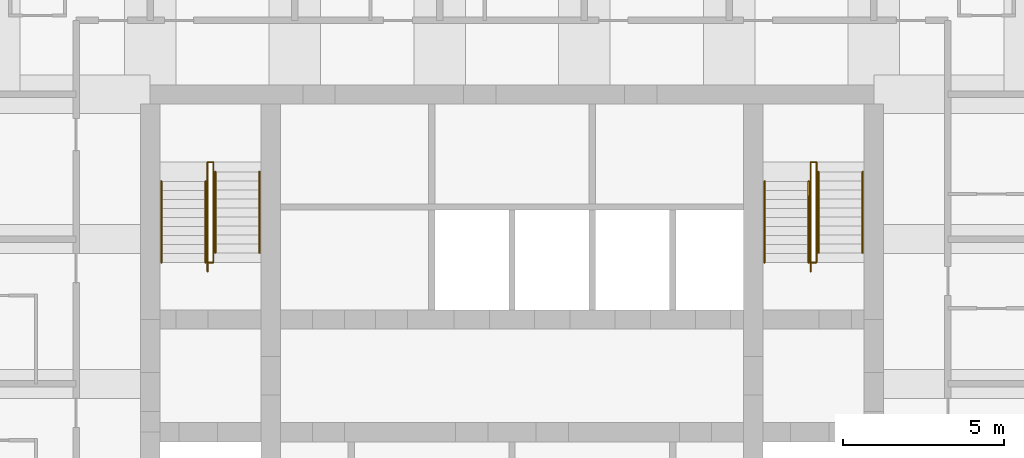
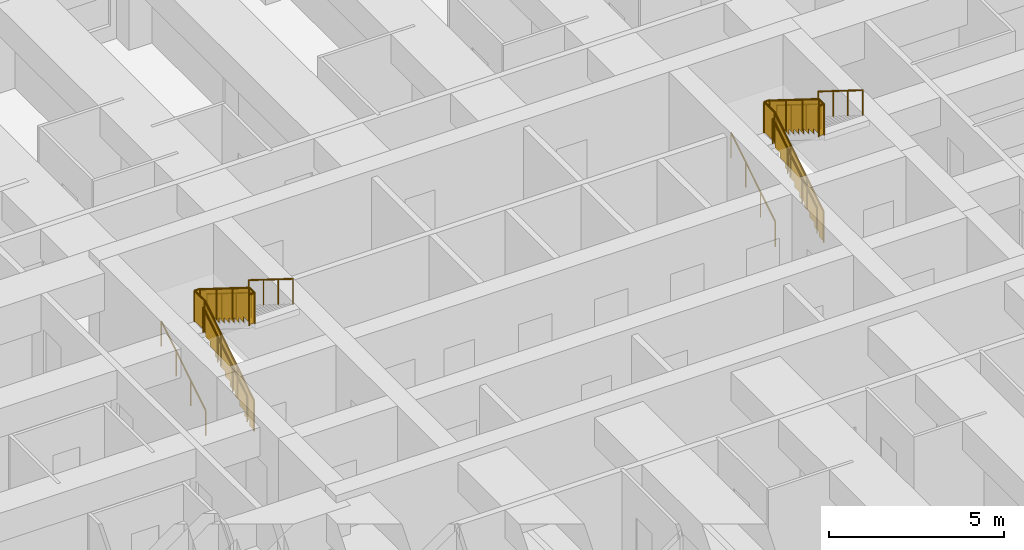
# One storey, part 8 of 8: 12 railings.
"""IFC4 building model written with IfcOpenShell, lengths in metres."""

from ifc_helpers import new_model, si_unit, direction, frame, origin, origin_2d, place, context, subcontext, project, spatial, polyline, circle, outline, extrude, material, type_object, element, save


model = new_model("IFC4")

# Units and contexts
model_context = context("Model", 3, precision=1e-05, world=origin(), true_north=direction((0.0, 1.0)))
body_context = subcontext(model_context, "Body", "Model", "MODEL_VIEW")
ifc_project = project(units=[si_unit("LENGTHUNIT", "METRE"), si_unit("AREAUNIT", "SQUARE_METRE"), si_unit("VOLUMEUNIT", "CUBIC_METRE"), si_unit("PLANEANGLEUNIT", "RADIAN"), si_unit("MASSUNIT", "GRAM", prefix="KILO")], contexts=[model_context])

# Site, building, storey
site_placement = place(None, origin())
site = spatial("IfcSite", under=ifc_project, at=site_placement, CompositionType="ELEMENT")
building_placement = place(site_placement, origin())
building = spatial("IfcBuilding", under=site, at=building_placement, Name="Kilele Tower Hotel", CompositionType="ELEMENT")
storey_placement = place(building_placement, frame((0.0, 0.0, 162.39990234375)))
storey = spatial("IfcBuildingStorey", under=building, at=storey_placement, Name="L41", CompositionType="ELEMENT", Elevation=162.39990234375)

# Railings
ifc_material_1 = material(Name="Steel handrail", Category="steel")
railing_type_1 = type_object("IfcRailingType", Name="Handrail 900", PredefinedType="HANDRAIL", material=ifc_material_1)
for number, where, name in (
    (1, (13.85009765625, 21.77490234375, 0.175048828125), "Handrail ST1 flight 1"),
    (2, (15.22509765625, 21.77490234375, 0.175048828125), "Handrail ST1 flight 1"),
):
    element("IfcRailing", number, at=place(storey_placement, frame(where)), inside=storey, type_object=railing_type_1, Name=name, PredefinedType="HANDRAIL", context=body_context, shape_type="SweptSolid", body=[
        extrude(circle(Radius=0.02490234375, at=origin_2d()), frame((0.0, 0.0, 0.875), z_axis=(0.0, 0.848007534815, 0.529984170421), x_axis=(-1.0, 0.0, 0.0)), (0.0, 0.0, 1.0), 2.9716796875),
        extrude(circle(Radius=0.02001953125, at=origin_2d()), origin(), (0.0, 0.0, 1.0), 0.849853515625),
        extrude(circle(Radius=0.02001953125, at=origin_2d()), frame((0.0, 0.840087890625, 0.52490234375)), (0.0, 0.0, 1.0), 0.849853515625),
        extrude(circle(Radius=0.02001953125, at=origin_2d()), frame((0.0, 1.679931640625, 1.050048828125)), (0.0, 0.0, 1.0), 0.849853515625),
        extrude(circle(Radius=0.02001953125, at=origin_2d()), frame((0.0, 2.52001953125, 1.574951171875)), (0.0, 0.0, 1.0), 0.849853515625),
    ])
for number, where, name in (
    (3, (15.52490234375, 24.594970703125, 1.925048828125), "Handrail ST1 flight 2"),
    (4, (16.89990234375, 24.594970703125, 1.925048828125), "Handrail ST1 flight 2"),
):
    element("IfcRailing", number, at=place(storey_placement, frame(where)), inside=storey, type_object=railing_type_1, Name=name, PredefinedType="HANDRAIL", context=body_context, shape_type="SweptSolid", body=[
        extrude(circle(Radius=0.02490234375, at=origin_2d()), frame((0.0, 0.0, 0.875), z_axis=(0.0, -0.848007534815, 0.529984170421), x_axis=(1.0, 0.0, 0.0)), (0.0, 0.0, 1.0), 2.9716796875),
        extrude(circle(Radius=0.02001953125, at=origin_2d()), origin(), (0.0, 0.0, 1.0), 0.849853515625),
        extrude(circle(Radius=0.02001953125, at=origin_2d()), frame((0.0, -0.840087890625, 0.52490234375)), (0.0, 0.0, 1.0), 0.849853515625),
        extrude(circle(Radius=0.02001953125, at=origin_2d()), frame((0.0, -1.679931640625, 1.050048828125)), (0.0, 0.0, 1.0), 0.849853515625),
        extrude(circle(Radius=0.02001953125, at=origin_2d()), frame((0.0, -2.52001953125, 1.574951171875)), (0.0, 0.0, 1.0), 0.849853515625),
    ])
for number, where, name in (
    (5, (32.60009765625, 21.77490234375, 0.175048828125), "Handrail ST2 flight 1"),
    (6, (33.97509765625, 21.77490234375, 0.175048828125), "Handrail ST2 flight 1"),
):
    element("IfcRailing", number, at=place(storey_placement, frame(where)), inside=storey, type_object=railing_type_1, Name=name, PredefinedType="HANDRAIL", context=body_context, shape_type="SweptSolid", body=[
        extrude(circle(Radius=0.02490234375, at=origin_2d()), frame((0.0, 0.0, 0.875), z_axis=(0.0, 0.848007534815, 0.529984170421), x_axis=(-1.0, 0.0, 0.0)), (0.0, 0.0, 1.0), 2.9716796875),
        extrude(circle(Radius=0.02001953125, at=origin_2d()), origin(), (0.0, 0.0, 1.0), 0.849853515625),
        extrude(circle(Radius=0.02001953125, at=origin_2d()), frame((0.0, 0.840087890625, 0.52490234375)), (0.0, 0.0, 1.0), 0.849853515625),
        extrude(circle(Radius=0.02001953125, at=origin_2d()), frame((0.0, 1.679931640625, 1.050048828125)), (0.0, 0.0, 1.0), 0.849853515625),
        extrude(circle(Radius=0.02001953125, at=origin_2d()), frame((0.0, 2.52001953125, 1.574951171875)), (0.0, 0.0, 1.0), 0.849853515625),
    ])
for number, where, name in (
    (7, (34.27490234375, 24.594970703125, 1.925048828125), "Handrail ST2 flight 2"),
    (8, (35.64990234375, 24.594970703125, 1.925048828125), "Handrail ST2 flight 2"),
):
    element("IfcRailing", number, at=place(storey_placement, frame(where)), inside=storey, type_object=railing_type_1, Name=name, PredefinedType="HANDRAIL", context=body_context, shape_type="SweptSolid", body=[
        extrude(circle(Radius=0.02490234375, at=origin_2d()), frame((0.0, 0.0, 0.875), z_axis=(0.0, -0.848007534815, 0.529984170421), x_axis=(1.0, 0.0, 0.0)), (0.0, 0.0, 1.0), 2.9716796875),
        extrude(circle(Radius=0.02001953125, at=origin_2d()), origin(), (0.0, 0.0, 1.0), 0.849853515625),
        extrude(circle(Radius=0.02001953125, at=origin_2d()), frame((0.0, -0.840087890625, 0.52490234375)), (0.0, 0.0, 1.0), 0.849853515625),
        extrude(circle(Radius=0.02001953125, at=origin_2d()), frame((0.0, -1.679931640625, 1.050048828125)), (0.0, 0.0, 1.0), 0.849853515625),
        extrude(circle(Radius=0.02001953125, at=origin_2d()), frame((0.0, -2.52001953125, 1.574951171875)), (0.0, 0.0, 1.0), 0.849853515625),
    ])
ifc_material_2 = material(Name="Steel guard", Category="steel")
railing_type_2 = type_object("IfcRailingType", Name="Stair guard 1100", PredefinedType="GUARDRAIL", material=ifc_material_2)
railing_1_placement = place(storey_placement, frame((15.284912109375, 21.4951171875, 0.0)))
element("IfcRailing", 9, at=railing_1_placement, inside=storey, type_object=railing_type_2, Name="Stair well guard ST1 flight 1", PredefinedType="GUARDRAIL", context=body_context, shape_type="SweptSolid", body=[
    extrude(circle(Radius=0.02490234375, at=origin_2d()), frame((0.0, 0.0, 1.0751953125), z_axis=(0.0, 0.847981687118, 0.530025526095), x_axis=(-1.0, 0.0, 0.0)), (0.0, 0.0, 1.0), 3.3017578125),
    extrude(circle(Radius=0.02490234375, at=origin_2d()), frame((0.0, 2.7998046875, 2.8251953125), z_axis=(0.0, 1.0, 0.0), x_axis=(-1.0, 0.0, 0.0)), (0.0, 0.0, 1.0), 0.60009765625),
    extrude(circle(Radius=0.02490234375, at=origin_2d()), frame((0.0, 3.39990234375, 2.8251953125), z_axis=(1.0, 0.0, 0.0), x_axis=(0.0, 1.0, 0.0)), (0.0, 0.0, 1.0), 0.18017578125),
    extrude(circle(Radius=0.02490234375, at=origin_2d()), origin(), (0.0, 0.0, 1.0), 1.050048828125),
    extrude(circle(Radius=0.02490234375, at=origin_2d()), frame((0.0, 0.933349609375, 0.583251953125)), (0.0, 0.0, 1.0), 1.050048828125),
    extrude(circle(Radius=0.02490234375, at=origin_2d()), frame((0.0, 1.866455078125, 1.166748046875)), (0.0, 0.0, 1.0), 1.050048828125),
    extrude(circle(Radius=0.02490234375, at=origin_2d()), frame((0.0, 2.7998046875, 1.75)), (0.0, 0.0, 1.0), 1.050048828125),
    extrude(circle(Radius=0.02490234375, at=origin_2d()), frame((0.0, 3.39990234375, 1.75)), (0.0, 0.0, 1.0), 1.050048828125),
    extrude(circle(Radius=0.02490234375, at=origin_2d()), frame((0.18017578125, 3.39990234375, 1.75)), (0.0, 0.0, 1.0), 1.050048828125),
    extrude(outline(polyline([(0.012451171875, 0.030029296875), (0.25, 0.030029296875), (0.25, 0.205078125), (0.530029296875, 0.205078125), (0.530029296875, 0.380126953125), (0.809814453125, 0.380126953125), (0.809814453125, 0.554931640625), (1.08984375, 0.554931640625), (1.08984375, 0.72998046875), (1.369873046875, 0.72998046875), (1.369873046875, 0.905029296875), (1.64990234375, 0.905029296875), (1.64990234375, 1.080078125), (1.929931640625, 1.080078125), (1.929931640625, 1.255126953125), (2.209716796875, 1.255126953125), (2.209716796875, 1.429931640625), (2.48974609375, 1.429931640625), (2.48974609375, 1.60498046875), (2.769775390625, 1.60498046875), (2.769775390625, 1.780029296875), (2.787353515625, 1.780029296875), (2.787353515625, 2.787841796875), (0.012451171875, 1.053466796875), (0.012451171875, 0.030029296875)])), frame((-0.005859375, 0.0, 0.0), z_axis=(1.0, 0.0, 0.0), x_axis=(0.0, 1.0, 0.0)), (0.0, 0.0, 1.0), 0.011962890625),
    extrude(outline(polyline([(0.012451171875, 0.030029296875), (0.587646484375, 0.030029296875), (0.587646484375, 1.050048828125), (0.012451171875, 1.050048828125), (0.012451171875, 0.030029296875)])), frame((-0.005859375, 2.7998046875, 1.75), z_axis=(1.0, 0.0, 0.0), x_axis=(0.0, 1.0, 0.0)), (0.0, 0.0, 1.0), 0.011962890625),
    extrude(outline(polyline([(0.012451171875, 0.030029296875), (0.18017578125, 0.030029296875), (0.18017578125, 1.050048828125), (0.012451171875, 1.050048828125), (0.012451171875, 0.030029296875)])), frame((0.0, 3.40576171875, 1.75), z_axis=(0.0, -1.0, 0.0), x_axis=(1.0, 0.0, 0.0)), (0.0, 0.0, 1.0), 0.011962890625),
])
railing_2_placement = place(storey_placement, frame((15.465087890625, 24.89501953125, 1.75)))
element("IfcRailing", 10, at=railing_2_placement, inside=storey, type_object=railing_type_2, Name="Stair well guard ST1 flight 2", PredefinedType="GUARDRAIL", context=body_context, shape_type="SweptSolid", body=[
    extrude(circle(Radius=0.02490234375, at=origin_2d()), frame((0.0, 0.0, 1.0751953125), z_axis=(0.0, -1.0, 0.0), x_axis=(1.0, 0.0, 0.0)), (0.0, 0.0, 1.0), 0.02001953125),
    extrude(circle(Radius=0.02490234375, at=origin_2d()), frame((0.0, -0.02001953125, 1.0751953125), z_axis=(0.0, -0.848002457836, 0.529992293815), x_axis=(1.0, 0.0, 0.0)), (0.0, 0.0, 1.0), 3.302001953125),
    extrude(circle(Radius=0.02490234375, at=origin_2d()), frame((0.0, -2.820068359375, 2.8251953125), z_axis=(0.0, -1.0, 0.0), x_axis=(1.0, 0.0, 0.0)), (0.0, 0.0, 1.0), 0.300048828125),
    extrude(circle(Radius=0.02490234375, at=origin_2d()), frame((0.0, -3.1201171875, 2.8251953125), z_axis=(-1.0, 0.0, 0.0), x_axis=(0.0, -1.0, 0.0)), (0.0, 0.0, 1.0), 0.18017578125),
    extrude(circle(Radius=0.02490234375, at=origin_2d()), origin(), (0.0, 0.0, 1.0), 1.050048828125),
    extrude(circle(Radius=0.02490234375, at=origin_2d()), frame((0.0, -0.02001953125, 0.0)), (0.0, 0.0, 1.0), 1.050048828125),
    extrude(circle(Radius=0.02490234375, at=origin_2d()), frame((0.0, -0.953369140625, 0.583251953125)), (0.0, 0.0, 1.0), 1.050048828125),
    extrude(circle(Radius=0.02490234375, at=origin_2d()), frame((0.0, -1.88671875, 1.166748046875)), (0.0, 0.0, 1.0), 1.050048828125),
    extrude(circle(Radius=0.02490234375, at=origin_2d()), frame((0.0, -2.820068359375, 1.75)), (0.0, 0.0, 1.0), 1.050048828125),
    extrude(circle(Radius=0.02490234375, at=origin_2d()), frame((0.0, -3.1201171875, 1.75)), (0.0, 0.0, 1.0), 1.050048828125),
    extrude(circle(Radius=0.02490234375, at=origin_2d()), frame((-0.18017578125, -3.1201171875, 1.75)), (0.0, 0.0, 1.0), 1.050048828125),
    extrude(outline(polyline([(0.012451171875, 0.030029296875), (0.25, 0.030029296875), (0.25, 0.205078125), (0.530029296875, 0.205078125), (0.530029296875, 0.380126953125), (0.81005859375, 0.380126953125), (0.81005859375, 0.554931640625), (1.090087890625, 0.554931640625), (1.090087890625, 0.72998046875), (1.3701171875, 0.72998046875), (1.3701171875, 0.905029296875), (1.64990234375, 0.905029296875), (1.64990234375, 1.080078125), (1.929931640625, 1.080078125), (1.929931640625, 1.255126953125), (2.2099609375, 1.255126953125), (2.2099609375, 1.429931640625), (2.489990234375, 1.429931640625), (2.489990234375, 1.60498046875), (2.77001953125, 1.60498046875), (2.77001953125, 1.780029296875), (2.78759765625, 1.780029296875), (2.78759765625, 2.787841796875), (0.012451171875, 1.053466796875), (0.012451171875, 0.030029296875)])), frame((0.005859375, -0.02001953125, 0.0), z_axis=(-1.0, 0.0, 0.0), x_axis=(0.0, -1.0, 0.0)), (0.0, 0.0, 1.0), 0.011962890625),
    extrude(outline(polyline([(0.012451171875, 0.030029296875), (0.28759765625, 0.030029296875), (0.28759765625, 1.050048828125), (0.012451171875, 1.050048828125), (0.012451171875, 0.030029296875)])), frame((0.005859375, -2.820068359375, 1.75), z_axis=(-1.0, 0.0, 0.0), x_axis=(0.0, -1.0, 0.0)), (0.0, 0.0, 1.0), 0.011962890625),
    extrude(outline(polyline([(0.012451171875, 0.030029296875), (0.18017578125, 0.030029296875), (0.18017578125, 1.050048828125), (0.012451171875, 1.050048828125), (0.012451171875, 0.030029296875)])), frame((0.0, -3.1259765625, 1.75), z_axis=(0.0, 1.0, 0.0), x_axis=(-1.0, 0.0, 0.0)), (0.0, 0.0, 1.0), 0.011962890625),
])
railing_3_placement = place(storey_placement, frame((34.034912109375, 21.4951171875, 0.0)))
element("IfcRailing", 11, at=railing_3_placement, inside=storey, type_object=railing_type_2, Name="Stair well guard ST2 flight 1", PredefinedType="GUARDRAIL", context=body_context, shape_type="SweptSolid", body=[
    extrude(circle(Radius=0.02490234375, at=origin_2d()), frame((0.0, 0.0, 1.0751953125), z_axis=(0.0, 0.847981687118, 0.530025526095), x_axis=(-1.0, 0.0, 0.0)), (0.0, 0.0, 1.0), 3.3017578125),
    extrude(circle(Radius=0.02490234375, at=origin_2d()), frame((0.0, 2.7998046875, 2.8251953125), z_axis=(0.0, 1.0, 0.0), x_axis=(-1.0, 0.0, 0.0)), (0.0, 0.0, 1.0), 0.60009765625),
    extrude(circle(Radius=0.02490234375, at=origin_2d()), frame((0.0, 3.39990234375, 2.8251953125), z_axis=(1.0, 0.0, 0.0), x_axis=(0.0, 1.0, 0.0)), (0.0, 0.0, 1.0), 0.18017578125),
    extrude(circle(Radius=0.02490234375, at=origin_2d()), origin(), (0.0, 0.0, 1.0), 1.050048828125),
    extrude(circle(Radius=0.02490234375, at=origin_2d()), frame((0.0, 0.933349609375, 0.583251953125)), (0.0, 0.0, 1.0), 1.050048828125),
    extrude(circle(Radius=0.02490234375, at=origin_2d()), frame((0.0, 1.866455078125, 1.166748046875)), (0.0, 0.0, 1.0), 1.050048828125),
    extrude(circle(Radius=0.02490234375, at=origin_2d()), frame((0.0, 2.7998046875, 1.75)), (0.0, 0.0, 1.0), 1.050048828125),
    extrude(circle(Radius=0.02490234375, at=origin_2d()), frame((0.0, 3.39990234375, 1.75)), (0.0, 0.0, 1.0), 1.050048828125),
    extrude(circle(Radius=0.02490234375, at=origin_2d()), frame((0.18017578125, 3.39990234375, 1.75)), (0.0, 0.0, 1.0), 1.050048828125),
    extrude(outline(polyline([(0.012451171875, 0.030029296875), (0.25, 0.030029296875), (0.25, 0.205078125), (0.530029296875, 0.205078125), (0.530029296875, 0.380126953125), (0.809814453125, 0.380126953125), (0.809814453125, 0.554931640625), (1.08984375, 0.554931640625), (1.08984375, 0.72998046875), (1.369873046875, 0.72998046875), (1.369873046875, 0.905029296875), (1.64990234375, 0.905029296875), (1.64990234375, 1.080078125), (1.929931640625, 1.080078125), (1.929931640625, 1.255126953125), (2.209716796875, 1.255126953125), (2.209716796875, 1.429931640625), (2.48974609375, 1.429931640625), (2.48974609375, 1.60498046875), (2.769775390625, 1.60498046875), (2.769775390625, 1.780029296875), (2.787353515625, 1.780029296875), (2.787353515625, 2.787841796875), (0.012451171875, 1.053466796875), (0.012451171875, 0.030029296875)])), frame((-0.005859375, 0.0, 0.0), z_axis=(1.0, 0.0, 0.0), x_axis=(0.0, 1.0, 0.0)), (0.0, 0.0, 1.0), 0.011962890625),
    extrude(outline(polyline([(0.012451171875, 0.030029296875), (0.587646484375, 0.030029296875), (0.587646484375, 1.050048828125), (0.012451171875, 1.050048828125), (0.012451171875, 0.030029296875)])), frame((-0.005859375, 2.7998046875, 1.75), z_axis=(1.0, 0.0, 0.0), x_axis=(0.0, 1.0, 0.0)), (0.0, 0.0, 1.0), 0.011962890625),
    extrude(outline(polyline([(0.012451171875, 0.030029296875), (0.18017578125, 0.030029296875), (0.18017578125, 1.050048828125), (0.012451171875, 1.050048828125), (0.012451171875, 0.030029296875)])), frame((0.0, 3.40576171875, 1.75), z_axis=(0.0, -1.0, 0.0), x_axis=(1.0, 0.0, 0.0)), (0.0, 0.0, 1.0), 0.011962890625),
])
railing_4_placement = place(storey_placement, frame((34.215087890625, 24.89501953125, 1.75)))
element("IfcRailing", 12, at=railing_4_placement, inside=storey, type_object=railing_type_2, Name="Stair well guard ST2 flight 2", PredefinedType="GUARDRAIL", context=body_context, shape_type="SweptSolid", body=[
    extrude(circle(Radius=0.02490234375, at=origin_2d()), frame((0.0, 0.0, 1.0751953125), z_axis=(0.0, -1.0, 0.0), x_axis=(1.0, 0.0, 0.0)), (0.0, 0.0, 1.0), 0.02001953125),
    extrude(circle(Radius=0.02490234375, at=origin_2d()), frame((0.0, -0.02001953125, 1.0751953125), z_axis=(0.0, -0.848002457836, 0.529992293815), x_axis=(1.0, 0.0, 0.0)), (0.0, 0.0, 1.0), 3.302001953125),
    extrude(circle(Radius=0.02490234375, at=origin_2d()), frame((0.0, -2.820068359375, 2.8251953125), z_axis=(0.0, -1.0, 0.0), x_axis=(1.0, 0.0, 0.0)), (0.0, 0.0, 1.0), 0.300048828125),
    extrude(circle(Radius=0.02490234375, at=origin_2d()), frame((0.0, -3.1201171875, 2.8251953125), z_axis=(-1.0, 0.0, 0.0), x_axis=(0.0, -1.0, 0.0)), (0.0, 0.0, 1.0), 0.18017578125),
    extrude(circle(Radius=0.02490234375, at=origin_2d()), origin(), (0.0, 0.0, 1.0), 1.050048828125),
    extrude(circle(Radius=0.02490234375, at=origin_2d()), frame((0.0, -0.02001953125, 0.0)), (0.0, 0.0, 1.0), 1.050048828125),
    extrude(circle(Radius=0.02490234375, at=origin_2d()), frame((0.0, -0.953369140625, 0.583251953125)), (0.0, 0.0, 1.0), 1.050048828125),
    extrude(circle(Radius=0.02490234375, at=origin_2d()), frame((0.0, -1.88671875, 1.166748046875)), (0.0, 0.0, 1.0), 1.050048828125),
    extrude(circle(Radius=0.02490234375, at=origin_2d()), frame((0.0, -2.820068359375, 1.75)), (0.0, 0.0, 1.0), 1.050048828125),
    extrude(circle(Radius=0.02490234375, at=origin_2d()), frame((0.0, -3.1201171875, 1.75)), (0.0, 0.0, 1.0), 1.050048828125),
    extrude(circle(Radius=0.02490234375, at=origin_2d()), frame((-0.18017578125, -3.1201171875, 1.75)), (0.0, 0.0, 1.0), 1.050048828125),
    extrude(outline(polyline([(0.012451171875, 0.030029296875), (0.25, 0.030029296875), (0.25, 0.205078125), (0.530029296875, 0.205078125), (0.530029296875, 0.380126953125), (0.81005859375, 0.380126953125), (0.81005859375, 0.554931640625), (1.090087890625, 0.554931640625), (1.090087890625, 0.72998046875), (1.3701171875, 0.72998046875), (1.3701171875, 0.905029296875), (1.64990234375, 0.905029296875), (1.64990234375, 1.080078125), (1.929931640625, 1.080078125), (1.929931640625, 1.255126953125), (2.2099609375, 1.255126953125), (2.2099609375, 1.429931640625), (2.489990234375, 1.429931640625), (2.489990234375, 1.60498046875), (2.77001953125, 1.60498046875), (2.77001953125, 1.780029296875), (2.78759765625, 1.780029296875), (2.78759765625, 2.787841796875), (0.012451171875, 1.053466796875), (0.012451171875, 0.030029296875)])), frame((0.005859375, -0.02001953125, 0.0), z_axis=(-1.0, 0.0, 0.0), x_axis=(0.0, -1.0, 0.0)), (0.0, 0.0, 1.0), 0.011962890625),
    extrude(outline(polyline([(0.012451171875, 0.030029296875), (0.28759765625, 0.030029296875), (0.28759765625, 1.050048828125), (0.012451171875, 1.050048828125), (0.012451171875, 0.030029296875)])), frame((0.005859375, -2.820068359375, 1.75), z_axis=(-1.0, 0.0, 0.0), x_axis=(0.0, -1.0, 0.0)), (0.0, 0.0, 1.0), 0.011962890625),
    extrude(outline(polyline([(0.012451171875, 0.030029296875), (0.18017578125, 0.030029296875), (0.18017578125, 1.050048828125), (0.012451171875, 1.050048828125), (0.012451171875, 0.030029296875)])), frame((0.0, -3.1259765625, 1.75), z_axis=(0.0, 1.0, 0.0), x_axis=(-1.0, 0.0, 0.0)), (0.0, 0.0, 1.0), 0.011962890625),
])

save(model, "model.ifc")
